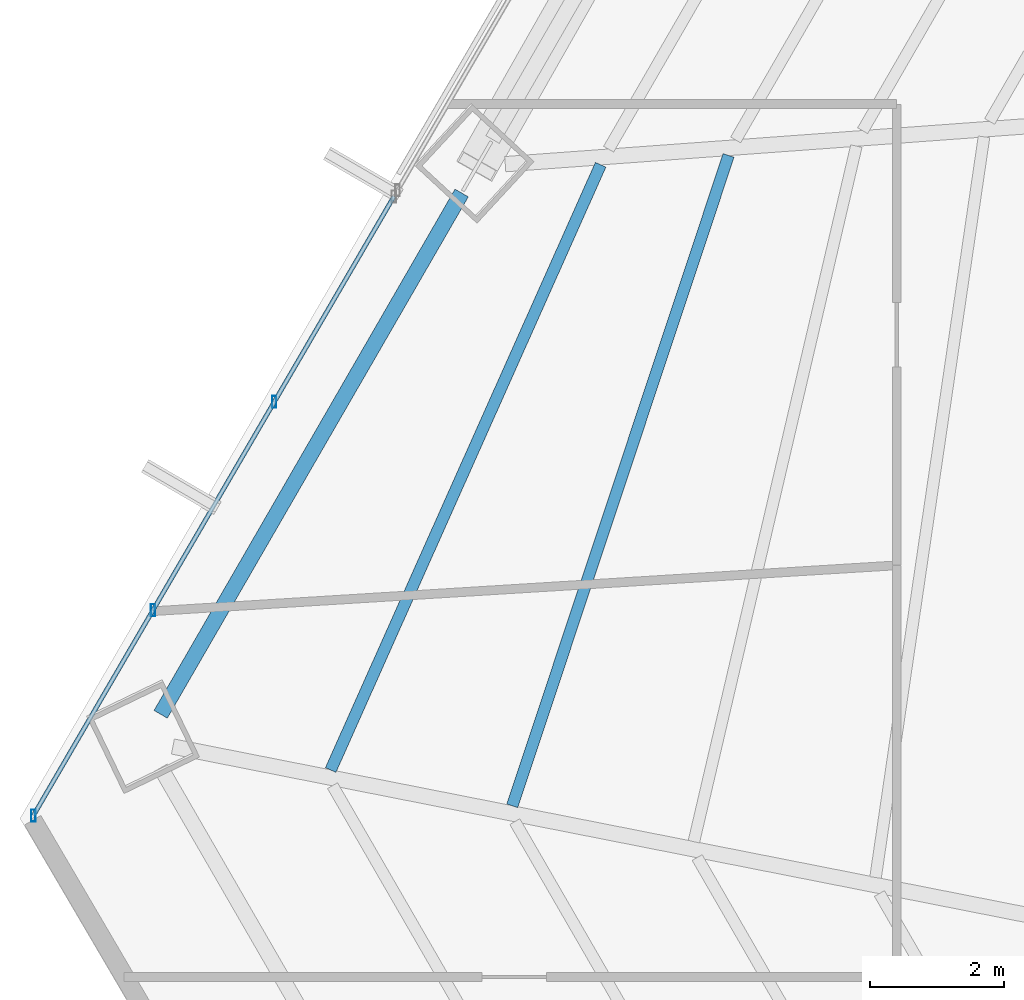
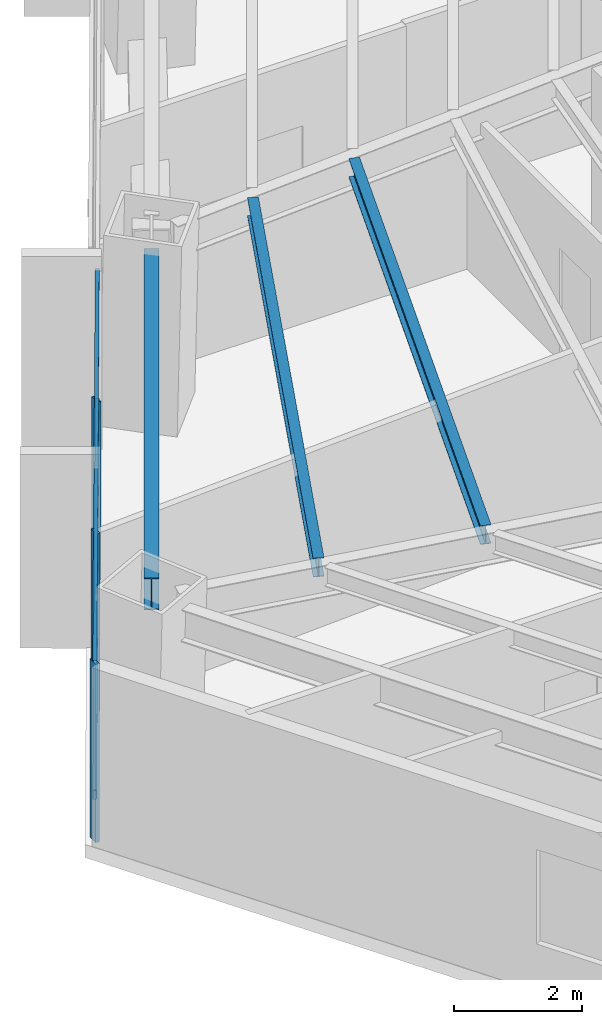
# One storey, part 8 of 33: 5 members, 3 beams, 1 element without a shape of its own.
"""IFC4 building model written with IfcOpenShell, lengths in metres."""

import ifcopenshell
import ifcopenshell.guid

model = None  # the IFC model being written
_history = None  # IfcOwnerHistory: only IFC2X3 demands one
_inside = {}  # id of a spatial element -> (the spatial element, [elements in it])
_under = {}  # id of a project, library or spatial element -> (it, [spatial elements below it])
_declared = {}  # id of a project -> (the project, [libraries it declares])
_typed = {}  # id of a type object -> (the type object, [elements of that type])
_made_of = {}  # id of a material, layer set ... -> (it, [elements and type objects made of it])


def new_model(schema):
    """Start an empty IFC model of exactly this schema.

    Asked for "IFC4X3", IfcOpenShell would pick the latest addendum, in which some entities
    have other attributes; the version numbers below select the first issue.
    IFC2X3 requires an IfcOwnerHistory on every rooted entity: one is made here for all.
    """
    global model, _history
    if schema == "IFC4X3":
        model = ifcopenshell.file(schema_version=(4, 3, 0, 0))
    else:
        model = ifcopenshell.file(schema=schema)
    _inside.clear()
    _under.clear()
    _declared.clear()
    _typed.clear()
    _made_of.clear()
    _history = None
    if model.schema == "IFC2X3":
        org = make("IfcOrganization", Name="unknown")
        user = make(
            "IfcPersonAndOrganization",
            ThePerson=make("IfcPerson", FamilyName="unknown"),
            TheOrganization=org,
        )
        app = make(
            "IfcApplication",
            ApplicationDeveloper=org,
            Version="unknown",
            ApplicationFullName="unknown",
            ApplicationIdentifier="unknown",
        )
        _history = make(
            "IfcOwnerHistory",
            OwningUser=user,
            OwningApplication=app,
            ChangeAction="ADDED",
            CreationDate=0,
        )
    return model


def make(cls, **values):
    """One entity of the class cls with the attributes given. An attribute that is None is left unset."""
    return model.create_entity(
        cls, **{name: value for name, value in values.items() if value is not None}
    )


def rooted(cls, **values):
    """An entity with a GlobalId (a new one), such as an element, a storey or a relation."""
    return make(cls, GlobalId=ifcopenshell.guid.new(), OwnerHistory=_history, **values)


def si_unit(unit_type, name, prefix=None):
    """IfcSIUnit, for example si_unit("LENGTHUNIT", "METRE", prefix="MILLI")."""
    return make("IfcSIUnit", UnitType=unit_type, Prefix=prefix, Name=name)


def assignment(units):
    """IfcUnitAssignment: the units of a project."""
    return None if units is None else make("IfcUnitAssignment", Units=units)


def point(xyz):
    """IfcCartesianPoint."""
    return None if xyz is None else make("IfcCartesianPoint", Coordinates=xyz)


def direction(xyz):
    """IfcDirection."""
    return None if xyz is None else make("IfcDirection", DirectionRatios=xyz)


def frame(location, z_axis=None, x_axis=None):
    """IfcAxis2Placement3D, a coordinate frame: its origin and axes. An axis left out is left unset."""
    return make(
        "IfcAxis2Placement3D",
        Location=point(location),
        Axis=direction(z_axis),
        RefDirection=direction(x_axis),
    )


def frame_2d(location, x_axis=None):
    """IfcAxis2Placement2D, a coordinate frame in the plane: its origin and x axis."""
    return make(
        "IfcAxis2Placement2D", Location=point(location), RefDirection=direction(x_axis)
    )


def origin():
    """The frame at (0, 0, 0) with its axes left unset."""
    return frame((0.0, 0.0, 0.0))


def origin_2d():
    """The frame at (0, 0) in the plane with its x axis left unset."""
    return frame_2d((0.0, 0.0))


def place(relative_to, where):
    """IfcLocalPlacement: puts the frame where relative to a parent placement (None: the world)."""
    return make(
        "IfcLocalPlacement", PlacementRelTo=relative_to, RelativePlacement=where
    )


def context(
    kind, dimensions, precision=None, world=None, true_north=None, identifier=None
):
    """IfcGeometricRepresentationContext, for example the 3D "Model" context."""
    return make(
        "IfcGeometricRepresentationContext",
        ContextIdentifier=identifier,
        ContextType=kind,
        CoordinateSpaceDimension=dimensions,
        Precision=precision,
        WorldCoordinateSystem=world,
        TrueNorth=true_north,
    )


def subcontext(parent, identifier, kind, view, scale=None):
    """IfcGeometricRepresentationSubContext, for example "Body" below "Model"."""
    return make(
        "IfcGeometricRepresentationSubContext",
        ContextIdentifier=identifier,
        ContextType=kind,
        ParentContext=parent,
        TargetScale=scale,
        TargetView=view,
    )


def project(units=None, contexts=None):
    """IfcProject with its units and contexts."""
    return rooted(
        "IfcProject",
        Name="project",
        RepresentationContexts=contexts,
        UnitsInContext=assignment(units),
    )


def spatial(cls, under=None, at=None, **own):
    """A site, building, storey or space (cls), placed at a placement, below another one or the project."""
    s = rooted(cls, ObjectPlacement=at, **own)
    if under is not None:
        _under.setdefault(under.id(), (under, []))[1].append(s)
    return s


def profile(cls, at=None, kind="AREA", **sizes):
    """A parametric profile (cls). Its sizes go by their IFC names, for example OverallWidth=200.0."""
    return make(cls, ProfileType=kind, Position=at, **sizes)


def hollow_rectangle(**sizes):
    """IfcRectangleHollowProfileDef."""
    return profile("IfcRectangleHollowProfileDef", **sizes)


def i_section(**sizes):
    """IfcIShapeProfileDef."""
    return profile("IfcIShapeProfileDef", **sizes)


def extrude(swept, where, along, depth):
    """IfcExtrudedAreaSolid: the profile swept, set in the frame where, extruded along a direction by depth."""
    return make(
        "IfcExtrudedAreaSolid",
        SweptArea=swept,
        Position=where,
        ExtrudedDirection=direction(along),
        Depth=depth,
    )


def shape(context_of_items, identifier, shape_type, items):
    """IfcShapeRepresentation: the items that make up one representation, for example the "Body"."""
    return make(
        "IfcShapeRepresentation",
        ContextOfItems=context_of_items,
        RepresentationIdentifier=identifier,
        RepresentationType=shape_type,
        Items=items,
    )


def source(mapping_origin, context_of_items, identifier, shape_type, items):
    """IfcRepresentationMap: a shape defined once, which mapped items show again and again."""
    return make(
        "IfcRepresentationMap",
        MappingOrigin=mapping_origin,
        MappedRepresentation=shape(context_of_items, identifier, shape_type, items),
    )


def transform(
    local_origin,
    x_axis=None,
    y_axis=None,
    z_axis=None,
    scale=None,
    scale2=None,
    scale3=None,
    uniform=True,
):
    """IfcCartesianTransformationOperator3D, or its non-uniform kind. x_axis, y_axis, z_axis: its Axis1, 2, 3."""
    if uniform:
        return make(
            "IfcCartesianTransformationOperator3D",
            Axis1=direction(x_axis),
            Axis2=direction(y_axis),
            LocalOrigin=point(local_origin),
            Scale=scale,
            Axis3=direction(z_axis),
        )
    return make(
        "IfcCartesianTransformationOperator3DnonUniform",
        Axis1=direction(x_axis),
        Axis2=direction(y_axis),
        LocalOrigin=point(local_origin),
        Scale=scale,
        Axis3=direction(z_axis),
        Scale2=scale2,
        Scale3=scale3,
    )


def mapped(mapping_source, mapping_target):
    """IfcMappedItem: shows the shape of a source again, moved by a transform."""
    return make(
        "IfcMappedItem", MappingSource=mapping_source, MappingTarget=mapping_target
    )


def material(Name=None, Category=None):
    """IfcMaterial."""
    return make("IfcMaterial", Name=Name, Category=Category)


def material_profile(
    of_material, cross_section, Name=None, Category=None, Priority=None
):
    """IfcMaterialProfile: a cross section and its material."""
    return make(
        "IfcMaterialProfile",
        Name=Name,
        Material=of_material,
        Profile=cross_section,
        Priority=Priority,
        Category=Category,
    )


def profile_set(profiles, Name=None, composite=None):
    """IfcMaterialProfileSet."""
    return make(
        "IfcMaterialProfileSet",
        Name=Name,
        MaterialProfiles=profiles,
        CompositeProfile=composite,
    )


def made_of(thing, what):
    """Note that an element or type object is made of a material, layer set ...; save() writes the relation."""
    if what is not None:
        _made_of.setdefault(what.id(), (what, []))[1].append(thing)
    return thing


def type_object(cls, material=None, **own):
    """A type object (cls), such as IfcWallType, which elements share."""
    return made_of(rooted(cls, **own), material)


def type_shapes(of_type, sources):
    """Give a type object the sources (RepresentationMaps) that its elements show as mapped items."""
    of_type.RepresentationMaps = sources


def element(
    cls,
    number,
    at=None,
    inside=None,
    cuts=None,
    type_object=None,
    material=None,
    context=None,
    identifier="Body",
    shape_type=None,
    held_by="IfcProductDefinitionShape",
    body=None,
    shapes=None,
    **own,
):
    """One element of the class cls, such as IfcWall. Its Tag is "e" and its number.

    at: its placement. inside: the storey or other place that contains it. cuts: it is an
    opening in that element (IfcRelVoidsElement). A single representation is given by context,
    identifier, shape_type and body (its items); several are given by shapes. held_by: the class
    of the entity that holds the representations. save() writes the other relations.
    """
    e = rooted(cls, Tag="e%d" % number, ObjectPlacement=at, **own)
    if body is not None:
        shapes = [shape(context, identifier, shape_type, body)]
    if shapes is not None:
        e.Representation = make(held_by, Representations=shapes)
    if inside is not None:
        _inside.setdefault(inside.id(), (inside, []))[1].append(e)
    if cuts is not None:
        rooted(
            "IfcRelVoidsElement", RelatingBuildingElement=cuts, RelatedOpeningElement=e
        )
    if type_object is not None:
        _typed.setdefault(type_object.id(), (type_object, []))[1].append(e)
    return made_of(e, material)


def aggregate(whole, parts):
    """IfcRelAggregates: a whole, such as a stair, and the parts it consists of."""
    return rooted("IfcRelAggregates", RelatingObject=whole, RelatedObjects=parts)


def save(model, path):
    """Write the relations noted so far, then the file.

    IfcRelAggregates (storeys below a building ...), IfcRelContainedInSpatialStructure (elements
    in a storey), IfcRelDefinesByType, IfcRelAssociatesMaterial and IfcRelDeclares: one each for
    every whole, place, type object, material and project.
    """
    for whole, parts in _under.values():
        aggregate(whole, parts)
    for where, things in _inside.values():
        rooted(
            "IfcRelContainedInSpatialStructure",
            RelatedElements=things,
            RelatingStructure=where,
        )
    for kind, things in _typed.values():
        rooted("IfcRelDefinesByType", RelatedObjects=things, RelatingType=kind)
    for what, things in _made_of.values():
        rooted("IfcRelAssociatesMaterial", RelatedObjects=things, RelatingMaterial=what)
    for by, libraries in _declared.values():
        rooted("IfcRelDeclares", RelatingContext=by, RelatedDefinitions=libraries)
    model.write(path)


model = new_model("IFC4")

# Units and contexts
model_context = context("Model", 3, precision=1e-05, world=origin(), true_north=direction((0.0, 1.0)))
body_context = subcontext(model_context, "Body", "Model", "MODEL_VIEW")
ifc_project = project(units=[si_unit("LENGTHUNIT", "METRE"), si_unit("AREAUNIT", "SQUARE_METRE"), si_unit("VOLUMEUNIT", "CUBIC_METRE"), si_unit("PLANEANGLEUNIT", "RADIAN"), si_unit("MASSUNIT", "GRAM", prefix="KILO")], contexts=[model_context])

# Site, building, storey
site_placement = place(None, origin())
site = spatial("IfcSite", under=ifc_project, at=site_placement, CompositionType="ELEMENT")
building_placement = place(site_placement, origin())
building = spatial("IfcBuilding", under=site, at=building_placement, Name="Caelisora Broadcast Tower", CompositionType="ELEMENT")
storey_placement = place(building_placement, frame((0.0, 0.0, 38.550048828125)))
storey = spatial("IfcBuildingStorey", under=building, at=storey_placement, Name="L09", CompositionType="ELEMENT", Elevation=38.550048828125)

# Beams
ifc_material_1 = material(Name="Steel Grade 350 (AS/NZS 3679.1)", Category="steel")
ifc_material_profile_1 = material_profile(ifc_material_1, i_section(OverallWidth=0.22900390625, OverallDepth=0.611572265625, WebThickness=0.011962890625, FlangeThickness=0.01953125, at=origin_2d()), Name="Steel Grade 350 (AS/NZS 3679.1)")
ifc_profile_set_1 = profile_set([ifc_material_profile_1], Name="Steel Grade 350 (AS/NZS 3679.1)")
beam_type_1 = type_object("IfcBeamType", Name="PG03", PredefinedType="BEAM", material=ifc_profile_set_1)
shared_shape_1 = source(origin(), body_context, "Body", "SweptSolid", [
    extrude(i_section(OverallWidth=0.22900390625, OverallDepth=0.611572265625, WebThickness=0.011962890625, FlangeThickness=0.01953125, at=origin_2d()), origin(), (0.0, 0.0, 1.0), 8.966064453125),
])
type_shapes(beam_type_1, [shared_shape_1])
beam_1_placement = place(storey_placement, frame((18.92138671875, 28.776123046875, 3.09423828125), z_axis=(-0.500019442688, -0.866014178252, 0.0), x_axis=(0.866014178252, -0.500019442688, 0.0)))
element("IfcBeam", 1, at=beam_1_placement, inside=storey, type_object=beam_type_1, Name="L09 beam PG03", PredefinedType="BEAM", context=body_context, shape_type="MappedRepresentation", body=[
    mapped(shared_shape_1, transform((0.0, 0.0, 0.0), scale=1.0)),
])
ifc_material_profile_2 = material_profile(ifc_material_1, i_section(OverallWidth=0.172119140625, OverallDepth=0.358642578125, WebThickness=0.008056640625, FlangeThickness=0.012939453125, at=origin_2d()), Name="Steel Grade 350 (AS/NZS 3679.1)")
ifc_profile_set_2 = profile_set([ifc_material_profile_2], Name="Steel Grade 350 (AS/NZS 3679.1)")
beam_type_2 = type_object("IfcBeamType", Name="SB02", PredefinedType="JOIST", material=ifc_profile_set_2)
shared_shape_2 = source(origin(), body_context, "Body", "SweptSolid", [
    extrude(i_section(OverallWidth=0.172119140625, OverallDepth=0.358642578125, WebThickness=0.008056640625, FlangeThickness=0.012939453125, at=origin_2d()), origin(), (0.0, 0.0, 1.0), 10.208984375),
])
beam_2_placement = place(storey_placement, frame((22.896240234375, 29.33544921875, 3.220703125), z_axis=(-0.315596359787, -0.948893533379, 0.0), x_axis=(0.948893533379, -0.315596359787, 0.0)))
element("IfcBeam", 2, at=beam_2_placement, inside=storey, type_object=beam_type_2, Name="L09 beam SB02", PredefinedType="JOIST", context=body_context, shape_type="MappedRepresentation", body=[
    mapped(shared_shape_2, transform((0.0, 0.0, 0.0), scale=1.0)),
])
shared_shape_3 = source(origin(), body_context, "Body", "SweptSolid", [
    extrude(i_section(OverallWidth=0.172119140625, OverallDepth=0.358642578125, WebThickness=0.008056640625, FlangeThickness=0.012939453125, at=origin_2d()), origin(), (0.0, 0.0, 1.0), 9.871337890625),
])
type_shapes(beam_type_2, [shared_shape_2, shared_shape_3])
beam_3_placement = place(storey_placement, frame((20.9912109375, 29.19677734375, 3.220703125), z_axis=(-0.407365790731, -0.913265083391, 0.0), x_axis=(0.913265083391, -0.407365790731, 0.0)))
element("IfcBeam", 3, at=beam_3_placement, inside=storey, type_object=beam_type_2, Name="L09 beam SB02", PredefinedType="JOIST", context=body_context, shape_type="MappedRepresentation", body=[
    mapped(shared_shape_3, transform((0.0, 0.0, 0.0), scale=1.0)),
])

# Curtain wall, members
ifc_material_2 = material(Name="Unitised Aluminium and Low-E Glass Curtain Wall", Category="glass")
curtain_wall_type = type_object("IfcCurtainWallType", Name="CW-Z1", PredefinedType="NOTDEFINED", material=ifc_material_2)
curtain_wall_placement = place(storey_placement, origin())
curtain_wall = element("IfcCurtainWall", 4, at=curtain_wall_placement, inside=storey, type_object=curtain_wall_type, Name="L09 curtain wall CW-Z1", PredefinedType="NOTDEFINED")
ifc_material_3 = material(Name="Aluminium 6063-T6 Anodised Terracotta Bronze", Category="aluminium")
ifc_material_profile_3 = material_profile(ifc_material_3, hollow_rectangle(XDim=0.06494140625, YDim=0.179931640625, WallThickness=0.00341796875, at=origin_2d()), Name="Aluminium 6063-T6 Anodised Terracotta Bronze")
ifc_profile_set_3 = profile_set([ifc_material_profile_3], Name="Aluminium 6063-T6 Anodised Terracotta Bronze")
member_type_1 = type_object("IfcMemberType", Name="CWM-02", PredefinedType="MULLION", material=ifc_profile_set_3)
shared_shape_4 = source(origin(), body_context, "Body", "SweptSolid", [
    extrude(hollow_rectangle(XDim=0.06494140625, YDim=0.179931640625, WallThickness=0.00341796875, at=origin_2d()), origin(), (0.0, 0.0, 1.0), 3.39990234375),
])
type_shapes(member_type_1, [shared_shape_4])
member_1_placement = place(storey_placement, frame((12.542236328125, 19.503173828125, 0.0), z_axis=(0.0, 0.0, 1.0), x_axis=(1.0, 0.0, 0.0)))
member_1 = element("IfcMember", 5, at=member_1_placement, type_object=member_type_1, Name="L09-CW-B09 mullion #0", PredefinedType="MULLION", context=body_context, shape_type="MappedRepresentation", body=[
    mapped(shared_shape_4, transform((0.0, 0.0, 0.0), scale=1.0)),
])
member_2_placement = place(storey_placement, frame((14.32373046875, 22.56201171875, 0.0), z_axis=(0.0, 0.0, 1.0), x_axis=(1.0, 0.0, 0.0)))
member_2 = element("IfcMember", 6, at=member_2_placement, type_object=member_type_1, Name="L09-CW-B09 mullion #1", PredefinedType="MULLION", context=body_context, shape_type="MappedRepresentation", body=[
    mapped(shared_shape_4, transform((0.0, 0.0, 0.0), scale=1.0)),
])
member_3_placement = place(storey_placement, frame((16.130615234375, 25.664306640625, 0.0), z_axis=(0.0, 0.0, 1.0), x_axis=(1.0, 0.0, 0.0)))
member_3 = element("IfcMember", 7, at=member_3_placement, type_object=member_type_1, Name="L09-CW-B09 mullion #2", PredefinedType="MULLION", context=body_context, shape_type="MappedRepresentation", body=[
    mapped(shared_shape_4, transform((0.0, 0.0, 0.0), scale=1.0)),
])
ifc_material_profile_4 = material_profile(ifc_material_3, hollow_rectangle(XDim=0.06494140625, YDim=0.179931640625, WallThickness=0.00341796875, at=origin_2d()), Name="Aluminium 6063-T6 Anodised Terracotta Bronze")
ifc_profile_set_4 = profile_set([ifc_material_profile_4], Name="Aluminium 6063-T6 Anodised Terracotta Bronze")
member_type_2 = type_object("IfcMemberType", Name="CWT-01", PredefinedType="USERDEFINED", material=ifc_profile_set_4)
shared_shape_5 = source(origin(), body_context, "Body", "SweptSolid", [
    extrude(hollow_rectangle(XDim=0.06494140625, YDim=0.179931640625, WallThickness=0.00341796875, at=origin_2d()), origin(), (0.0, 0.0, 1.0), 10.669677734375),
])
type_shapes(member_type_2, [shared_shape_5])
member_4_placement = place(storey_placement, frame((12.542236328125, 19.503173828125, 0.849853515625), z_axis=(0.503280491755, 0.864123108485, 0.0), x_axis=(-0.864123108485, 0.503280491755, 0.0)))
member_4 = element("IfcMember", 8, at=member_4_placement, type_object=member_type_2, Name="L09-CW-B09 transom #1", ObjectType="TRANSOM", PredefinedType="USERDEFINED", context=body_context, shape_type="MappedRepresentation", body=[
    mapped(shared_shape_5, transform((0.0, 0.0, 0.0), scale=1.0)),
])
member_5_placement = place(storey_placement, frame((12.542236328125, 19.503173828125, 3.320068359375), z_axis=(0.503280491755, 0.864123108485, 0.0), x_axis=(-0.864123108485, 0.503280491755, 0.0)))
member_5 = element("IfcMember", 9, at=member_5_placement, type_object=member_type_2, Name="L09-CW-B09 transom #2", ObjectType="TRANSOM", PredefinedType="USERDEFINED", context=body_context, shape_type="MappedRepresentation", body=[
    mapped(shared_shape_5, transform((0.0, 0.0, 0.0), scale=1.0)),
])
aggregate(curtain_wall, [member_1, member_2, member_3, member_4, member_5])

save(model, "model.ifc")
